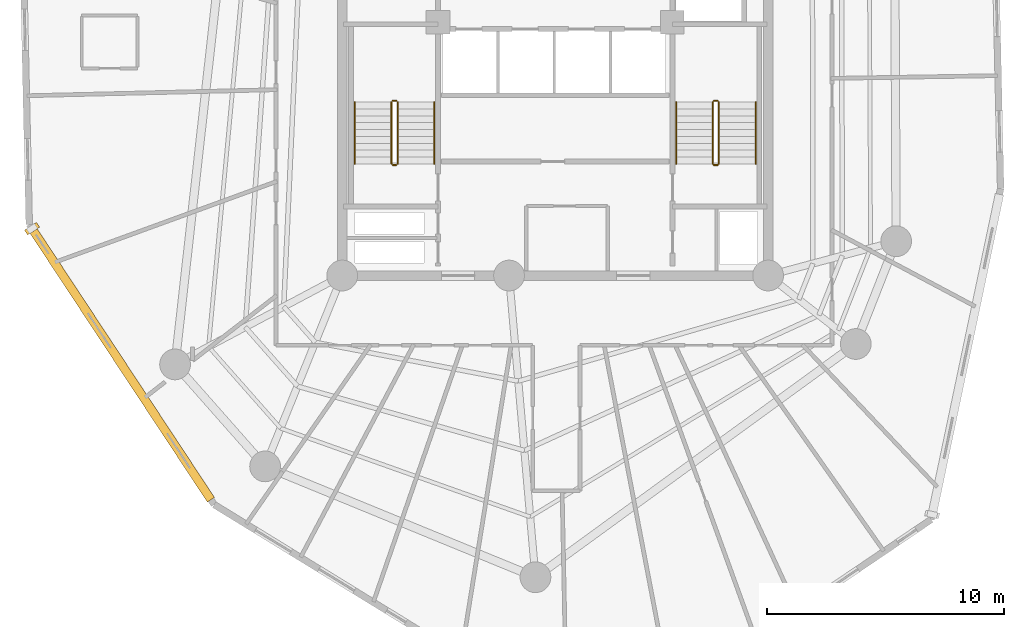
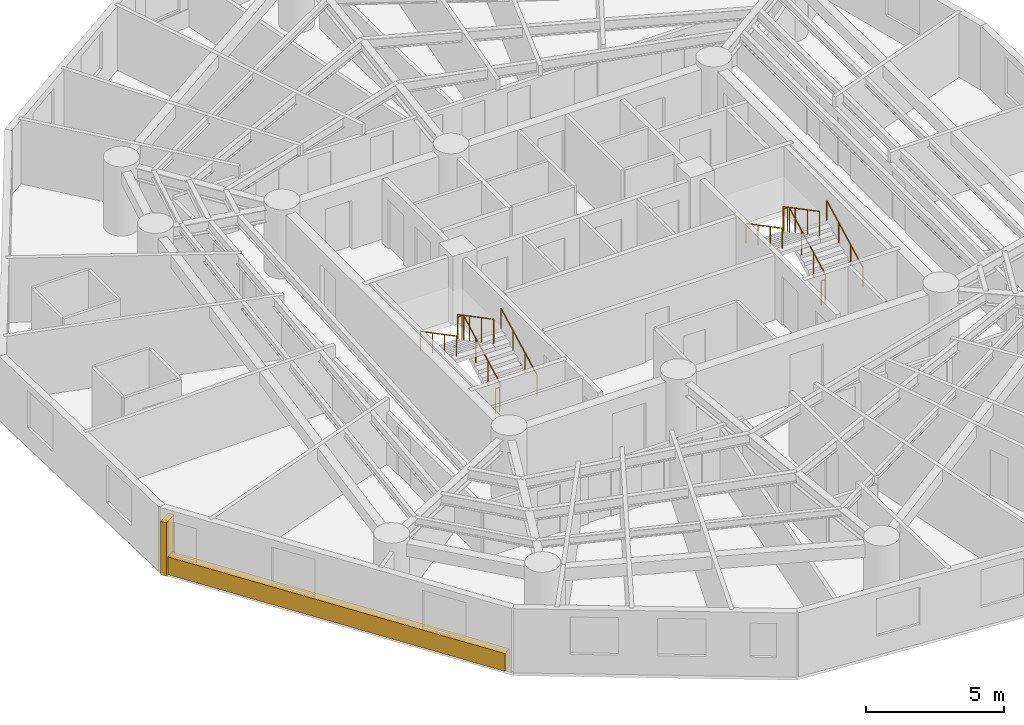
# One storey, part 8 of 9: 12 railings, 1 covering, 1 shading device.
"""IFC4 building model written with IfcOpenShell, lengths in metres."""

from ifc_helpers import new_model, si_unit, direction, frame, origin, origin_with_axes, origin_2d, place, context, subcontext, project, spatial, rectangle, circle, extrude, source, transform, mapped, material, layer, layer_set, type_object, element, save


model = new_model("IFC4")

# Units and contexts
model_context = context("Model", 3, precision=1e-05, world=origin(), true_north=direction((0.0, 1.0)))
body_context = subcontext(model_context, "Body", "Model", "MODEL_VIEW")
ifc_project = project(units=[si_unit("LENGTHUNIT", "METRE"), si_unit("AREAUNIT", "SQUARE_METRE"), si_unit("VOLUMEUNIT", "CUBIC_METRE"), si_unit("PLANEANGLEUNIT", "RADIAN"), si_unit("MASSUNIT", "GRAM", prefix="KILO")], contexts=[model_context])

# Site, building, storey
site_placement = place(None, origin())
site = spatial("IfcSite", under=ifc_project, at=site_placement, CompositionType="ELEMENT")
building_placement = place(site_placement, origin())
building = spatial("IfcBuilding", under=site, at=building_placement, Name="Karkom Vertical University and Central Library", CompositionType="ELEMENT")
storey_placement = place(building_placement, frame((0.0, 0.0, 190.10009765625)))
storey = spatial("IfcBuildingStorey", under=building, at=storey_placement, Name="L55", CompositionType="ELEMENT", Elevation=190.10009765625)

# Railings
ifc_material_1 = material(Name="Painted galvanised steel balustrade", Category="steel")
ifc_layer_1 = layer(ifc_material_1, 0.06005859375)
ifc_layer_set_1 = layer_set([ifc_layer_1], Name="Painted galvanised steel balustrade")
railing_type_1 = type_object("IfcRailingType", Name="INT-RL-GUARD1100", PredefinedType="GUARDRAIL", material=ifc_layer_set_1)
railing_1_placement = place(storey_placement, frame((21.840087890625, 23.02001953125, 0.15234375)))
element("IfcRailing", 1, at=railing_1_placement, inside=storey, type_object=railing_type_1, Name="Level 55 ST-1 stair guard 1", PredefinedType="GUARDRAIL", context=body_context, shape_type="SweptSolid", body=[
    extrude(circle(Radius=0.02392578125, at=origin_2d()), frame((0.0, 0.0, 1.076171875), z_axis=(0.0, 0.885065446896, 0.46546659892), x_axis=(-1.0, 0.0, 0.0)), (0.0, 0.0, 1.0), 2.94873046875),
    extrude(circle(Radius=0.02099609375, at=origin_2d()), origin(), (0.0, 0.0, 1.0), 1.052001953125),
    extrude(circle(Radius=0.02099609375, at=origin_2d()), frame((0.0, 0.869873046875, 0.45751953125)), (0.0, 0.0, 1.0), 1.052001953125),
    extrude(circle(Radius=0.02099609375, at=origin_2d()), frame((0.0, 1.739990234375, 0.9150390625)), (0.0, 0.0, 1.0), 1.052001953125),
    extrude(circle(Radius=0.02099609375, at=origin_2d()), frame((0.0, 2.60986328125, 1.37255859375)), (0.0, 0.0, 1.0), 1.052001953125),
])
railing_2_placement = place(storey_placement, frame((21.7900390625, 25.679931640625, 1.52490234375)))
element("IfcRailing", 2, at=railing_2_placement, inside=storey, type_object=railing_type_1, Name="Level 55 ST-1 stair guard 2", PredefinedType="GUARDRAIL", context=body_context, shape_type="SweptSolid", body=[
    extrude(circle(Radius=0.02392578125, at=origin_2d()), frame((0.0, 0.0, 1.076171875), z_axis=(-1.0, 0.0, 0.0), x_axis=(0.0, -1.0, 0.0)), (0.0, 0.0, 1.0), 0.16015625),
    extrude(circle(Radius=0.02099609375, at=origin_2d()), origin(), (0.0, 0.0, 1.0), 1.052001953125),
    extrude(circle(Radius=0.02099609375, at=origin_2d()), frame((-0.16015625, 0.0, 0.0)), (0.0, 0.0, 1.0), 1.052001953125),
])
railing_3_placement = place(storey_placement, frame((21.580078125, 25.6298828125, 1.677490234375)))
element("IfcRailing", 3, at=railing_3_placement, inside=storey, type_object=railing_type_1, Name="Level 55 ST-1 stair guard 3", PredefinedType="GUARDRAIL", context=body_context, shape_type="SweptSolid", body=[
    extrude(circle(Radius=0.02392578125, at=origin_2d()), frame((0.0, 0.0, 1.076171875), z_axis=(0.0, -0.885099554253, 0.465401739426), x_axis=(1.0, 0.0, 0.0)), (0.0, 0.0, 1.0), 2.94873046875),
    extrude(circle(Radius=0.02099609375, at=origin_2d()), origin(), (0.0, 0.0, 1.0), 1.052001953125),
    extrude(circle(Radius=0.02099609375, at=origin_2d()), frame((0.0, -0.869873046875, 0.45751953125)), (0.0, 0.0, 1.0), 1.052001953125),
    extrude(circle(Radius=0.02099609375, at=origin_2d()), frame((0.0, -1.739990234375, 0.914794921875)), (0.0, 0.0, 1.0), 1.052001953125),
    extrude(circle(Radius=0.02099609375, at=origin_2d()), frame((0.0, -2.60986328125, 1.372314453125)), (0.0, 0.0, 1.0), 1.052001953125),
])
railing_4_placement = place(storey_placement, frame((21.7900390625, 22.969970703125, 0.0)))
element("IfcRailing", 4, at=railing_4_placement, inside=storey, type_object=railing_type_1, Name="Level 55 ST-1 stair guard 4", PredefinedType="GUARDRAIL", context=body_context, shape_type="SweptSolid", body=[
    extrude(circle(Radius=0.02392578125, at=origin_2d()), frame((0.0, 0.0, 1.076171875), z_axis=(-1.0, 0.0, 0.0), x_axis=(0.0, -1.0, 0.0)), (0.0, 0.0, 1.0), 0.16015625),
    extrude(circle(Radius=0.02099609375, at=origin_2d()), origin(), (0.0, 0.0, 1.0), 1.052001953125),
    extrude(circle(Radius=0.02099609375, at=origin_2d()), frame((-0.16015625, 0.0, 0.0)), (0.0, 0.0, 1.0), 1.052001953125),
])
railing_5_placement = place(storey_placement, frame((35.419921875, 23.02001953125, 0.15234375)))
element("IfcRailing", 5, at=railing_5_placement, inside=storey, type_object=railing_type_1, Name="Level 55 ST-2 stair guard 1", PredefinedType="GUARDRAIL", context=body_context, shape_type="SweptSolid", body=[
    extrude(circle(Radius=0.02392578125, at=origin_2d()), frame((0.0, 0.0, 1.076171875), z_axis=(0.0, 0.885065446896, 0.46546659892), x_axis=(-1.0, 0.0, 0.0)), (0.0, 0.0, 1.0), 2.94873046875),
    extrude(circle(Radius=0.02099609375, at=origin_2d()), origin(), (0.0, 0.0, 1.0), 1.052001953125),
    extrude(circle(Radius=0.02099609375, at=origin_2d()), frame((0.0, 0.869873046875, 0.45751953125)), (0.0, 0.0, 1.0), 1.052001953125),
    extrude(circle(Radius=0.02099609375, at=origin_2d()), frame((0.0, 1.739990234375, 0.9150390625)), (0.0, 0.0, 1.0), 1.052001953125),
    extrude(circle(Radius=0.02099609375, at=origin_2d()), frame((0.0, 2.60986328125, 1.37255859375)), (0.0, 0.0, 1.0), 1.052001953125),
])
railing_6_placement = place(storey_placement, frame((35.3701171875, 25.679931640625, 1.52490234375)))
element("IfcRailing", 6, at=railing_6_placement, inside=storey, type_object=railing_type_1, Name="Level 55 ST-2 stair guard 2", PredefinedType="GUARDRAIL", context=body_context, shape_type="SweptSolid", body=[
    extrude(circle(Radius=0.02392578125, at=origin_2d()), frame((0.0, 0.0, 1.076171875), z_axis=(-1.0, 0.0, 0.0), x_axis=(0.0, -1.0, 0.0)), (0.0, 0.0, 1.0), 0.16015625),
    extrude(circle(Radius=0.02099609375, at=origin_2d()), origin(), (0.0, 0.0, 1.0), 1.052001953125),
    extrude(circle(Radius=0.02099609375, at=origin_2d()), frame((-0.16015625, 0.0, 0.0)), (0.0, 0.0, 1.0), 1.052001953125),
])
railing_7_placement = place(storey_placement, frame((35.159912109375, 25.6298828125, 1.677490234375)))
element("IfcRailing", 7, at=railing_7_placement, inside=storey, type_object=railing_type_1, Name="Level 55 ST-2 stair guard 3", PredefinedType="GUARDRAIL", context=body_context, shape_type="SweptSolid", body=[
    extrude(circle(Radius=0.02392578125, at=origin_2d()), frame((0.0, 0.0, 1.076171875), z_axis=(0.0, -0.885099554253, 0.465401739426), x_axis=(1.0, 0.0, 0.0)), (0.0, 0.0, 1.0), 2.94873046875),
    extrude(circle(Radius=0.02099609375, at=origin_2d()), origin(), (0.0, 0.0, 1.0), 1.052001953125),
    extrude(circle(Radius=0.02099609375, at=origin_2d()), frame((0.0, -0.869873046875, 0.45751953125)), (0.0, 0.0, 1.0), 1.052001953125),
    extrude(circle(Radius=0.02099609375, at=origin_2d()), frame((0.0, -1.739990234375, 0.914794921875)), (0.0, 0.0, 1.0), 1.052001953125),
    extrude(circle(Radius=0.02099609375, at=origin_2d()), frame((0.0, -2.60986328125, 1.372314453125)), (0.0, 0.0, 1.0), 1.052001953125),
])
railing_8_placement = place(storey_placement, frame((35.3701171875, 22.969970703125, 0.0)))
element("IfcRailing", 8, at=railing_8_placement, inside=storey, type_object=railing_type_1, Name="Level 55 ST-2 stair guard 4", PredefinedType="GUARDRAIL", context=body_context, shape_type="SweptSolid", body=[
    extrude(circle(Radius=0.02392578125, at=origin_2d()), frame((0.0, 0.0, 1.076171875), z_axis=(-1.0, 0.0, 0.0), x_axis=(0.0, -1.0, 0.0)), (0.0, 0.0, 1.0), 0.16015625),
    extrude(circle(Radius=0.02099609375, at=origin_2d()), origin(), (0.0, 0.0, 1.0), 1.052001953125),
    extrude(circle(Radius=0.02099609375, at=origin_2d()), frame((-0.16015625, 0.0, 0.0)), (0.0, 0.0, 1.0), 1.052001953125),
])
ifc_material_2 = material(Name="Brushed stainless-steel tubular handrail", Category="steel")
ifc_layer_2 = layer(ifc_material_2, 0.048095703125)
ifc_layer_set_2 = layer_set([ifc_layer_2], Name="Brushed stainless-steel tubular handrail")
railing_type_2 = type_object("IfcRailingType", Name="INT-RL-HAND920", PredefinedType="HANDRAIL", material=ifc_layer_set_2)
railing_9_placement = place(storey_placement, frame((23.389892578125, 23.02001953125, 0.15234375)))
element("IfcRailing", 9, at=railing_9_placement, inside=storey, type_object=railing_type_2, Name="Level 55 ST-1 stair handrail 1", PredefinedType="HANDRAIL", context=body_context, shape_type="SweptSolid", body=[
    extrude(circle(Radius=0.02392578125, at=origin_2d()), frame((0.0, 0.0, 0.8759765625), z_axis=(0.0, 0.885065446896, 0.46546659892), x_axis=(-1.0, 0.0, 0.0)), (0.0, 0.0, 1.0), 2.94873046875),
    extrude(circle(Radius=0.02099609375, at=origin_2d()), origin(), (0.0, 0.0, 1.0), 0.851806640625),
    extrude(circle(Radius=0.02099609375, at=origin_2d()), frame((0.0, 0.869873046875, 0.45751953125)), (0.0, 0.0, 1.0), 0.851806640625),
    extrude(circle(Radius=0.02099609375, at=origin_2d()), frame((0.0, 1.739990234375, 0.9150390625)), (0.0, 0.0, 1.0), 0.851806640625),
    extrude(circle(Radius=0.02099609375, at=origin_2d()), frame((0.0, 2.60986328125, 1.37255859375)), (0.0, 0.0, 1.0), 0.851806640625),
])
railing_10_placement = place(storey_placement, frame((20.030029296875, 25.6298828125, 1.677490234375)))
element("IfcRailing", 10, at=railing_10_placement, inside=storey, type_object=railing_type_2, Name="Level 55 ST-1 stair handrail 2", PredefinedType="HANDRAIL", context=body_context, shape_type="SweptSolid", body=[
    extrude(circle(Radius=0.02392578125, at=origin_2d()), frame((0.0, 0.0, 0.8759765625), z_axis=(0.0, -0.885099554253, 0.465401739426), x_axis=(1.0, 0.0, 0.0)), (0.0, 0.0, 1.0), 2.94873046875),
    extrude(circle(Radius=0.02099609375, at=origin_2d()), origin(), (0.0, 0.0, 1.0), 0.851806640625),
    extrude(circle(Radius=0.02099609375, at=origin_2d()), frame((0.0, -0.869873046875, 0.45751953125)), (0.0, 0.0, 1.0), 0.851806640625),
    extrude(circle(Radius=0.02099609375, at=origin_2d()), frame((0.0, -1.739990234375, 0.914794921875)), (0.0, 0.0, 1.0), 0.851806640625),
    extrude(circle(Radius=0.02099609375, at=origin_2d()), frame((0.0, -2.60986328125, 1.372314453125)), (0.0, 0.0, 1.0), 0.851806640625),
])
railing_11_placement = place(storey_placement, frame((36.969970703125, 23.02001953125, 0.15234375)))
element("IfcRailing", 11, at=railing_11_placement, inside=storey, type_object=railing_type_2, Name="Level 55 ST-2 stair handrail 1", PredefinedType="HANDRAIL", context=body_context, shape_type="SweptSolid", body=[
    extrude(circle(Radius=0.02392578125, at=origin_2d()), frame((0.0, 0.0, 0.8759765625), z_axis=(0.0, 0.885065446896, 0.46546659892), x_axis=(-1.0, 0.0, 0.0)), (0.0, 0.0, 1.0), 2.94873046875),
    extrude(circle(Radius=0.02099609375, at=origin_2d()), origin(), (0.0, 0.0, 1.0), 0.851806640625),
    extrude(circle(Radius=0.02099609375, at=origin_2d()), frame((0.0, 0.869873046875, 0.45751953125)), (0.0, 0.0, 1.0), 0.851806640625),
    extrude(circle(Radius=0.02099609375, at=origin_2d()), frame((0.0, 1.739990234375, 0.9150390625)), (0.0, 0.0, 1.0), 0.851806640625),
    extrude(circle(Radius=0.02099609375, at=origin_2d()), frame((0.0, 2.60986328125, 1.37255859375)), (0.0, 0.0, 1.0), 0.851806640625),
])
railing_12_placement = place(storey_placement, frame((33.610107421875, 25.6298828125, 1.677490234375)))
element("IfcRailing", 12, at=railing_12_placement, inside=storey, type_object=railing_type_2, Name="Level 55 ST-2 stair handrail 2", PredefinedType="HANDRAIL", context=body_context, shape_type="SweptSolid", body=[
    extrude(circle(Radius=0.02392578125, at=origin_2d()), frame((0.0, 0.0, 0.8759765625), z_axis=(0.0, -0.885099554253, 0.465401739426), x_axis=(1.0, 0.0, 0.0)), (0.0, 0.0, 1.0), 2.94873046875),
    extrude(circle(Radius=0.02099609375, at=origin_2d()), origin(), (0.0, 0.0, 1.0), 0.851806640625),
    extrude(circle(Radius=0.02099609375, at=origin_2d()), frame((0.0, -0.869873046875, 0.45751953125)), (0.0, 0.0, 1.0), 0.851806640625),
    extrude(circle(Radius=0.02099609375, at=origin_2d()), frame((0.0, -1.739990234375, 0.914794921875)), (0.0, 0.0, 1.0), 0.851806640625),
    extrude(circle(Radius=0.02099609375, at=origin_2d()), frame((0.0, -2.60986328125, 1.372314453125)), (0.0, 0.0, 1.0), 0.851806640625),
])

# Shading device
ifc_material_3 = material(Name="Terracotta-clad precast concrete sun-breaker fin C45/55", Category="masonry")
shading_device_type = type_object("IfcShadingDeviceType", Name="ENV-SHD-BRISE", PredefinedType="USERDEFINED", material=ifc_material_3)
shared_shape_1 = source(origin_with_axes(), body_context, "Body", "SweptSolid", [
    extrude(rectangle(XDim=0.239990234375, YDim=0.60009765625, at=origin_2d()), origin(), (0.0, 0.0, 1.0), 2.35009765625),
])
shading_device_placement = place(storey_placement, frame((6.390380859375, 20.280517578125, -0.000244140625), z_axis=(0.0, 0.0, 1.0), x_axis=(0.550772123421, -0.834655658378, 0.0)))
element("IfcShadingDevice", 13, at=shading_device_placement, inside=storey, type_object=shading_device_type, Name="Level 55 Brutalist Brise-Soleil Fin 01", ObjectType="BRISE SOLEIL", PredefinedType="USERDEFINED", context=body_context, shape_type="MappedRepresentation", body=[
    mapped(shared_shape_1, transform((0.0, 0.0, 0.0), scale=1.0)),
])

# Covering
ifc_material_4 = material(Name="Hand-pressed red-ochre terracotta brick slip cladding", Category="masonry")
ifc_layer_3 = layer(ifc_material_4, 0.090087890625)
ifc_layer_set_3 = layer_set([ifc_layer_3], Name="Hand-pressed red-ochre terracotta brick slip cladding")
covering_type = type_object("IfcCoveringType", Name="ENV-COV-CLAD", PredefinedType="CLADDING", material=ifc_layer_set_3)
shared_shape_2 = source(origin_with_axes(), body_context, "Body", "SweptSolid", [
    extrude(rectangle(XDim=13.694091796875, YDim=0.360107421875, at=origin_2d()), origin(), (0.0, 0.0, 1.0), 0.780029296875),
])
covering_placement = place(storey_placement, frame((10.177490234375, 14.540283203125, 0.0), z_axis=(0.0, 0.0, 1.0), x_axis=(0.550772123421, -0.834655658378, 0.0)))
element("IfcCovering", 14, at=covering_placement, inside=storey, type_object=covering_type, Name="Level 55 Terracotta Spandrel Cladding 01", PredefinedType="CLADDING", context=body_context, shape_type="MappedRepresentation", body=[
    mapped(shared_shape_2, transform((0.0, 0.0, 0.0), scale=1.0)),
])

save(model, "model.ifc")
